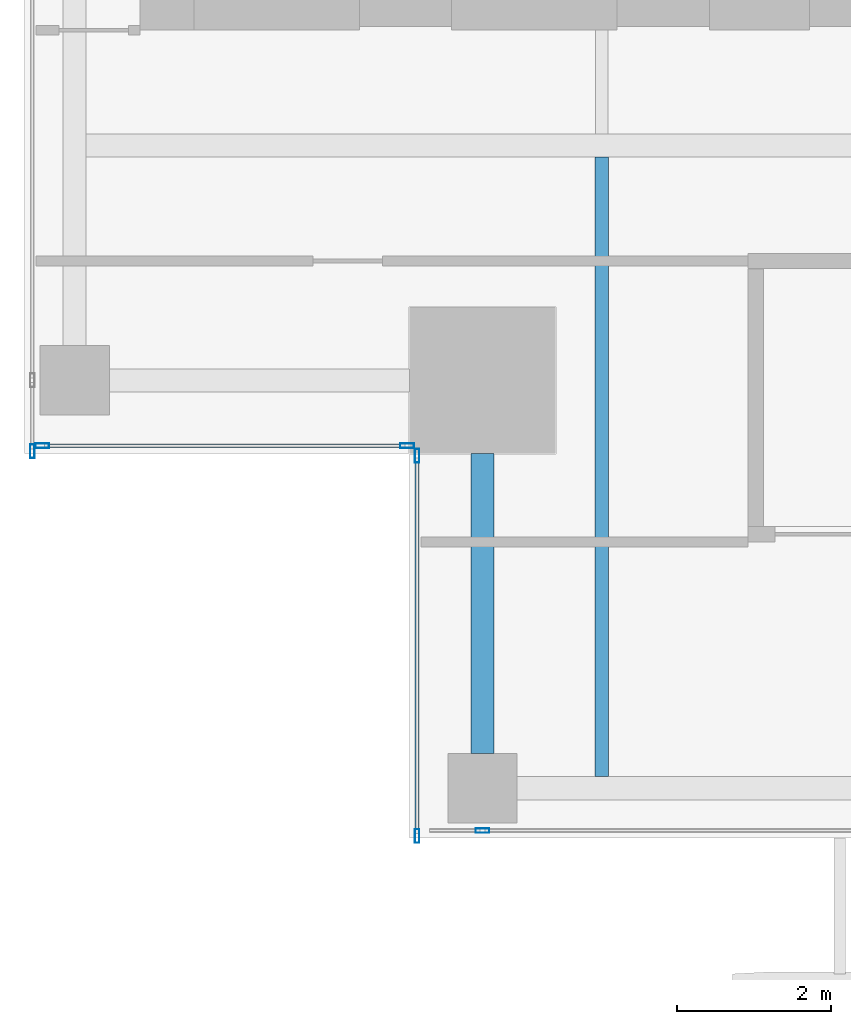
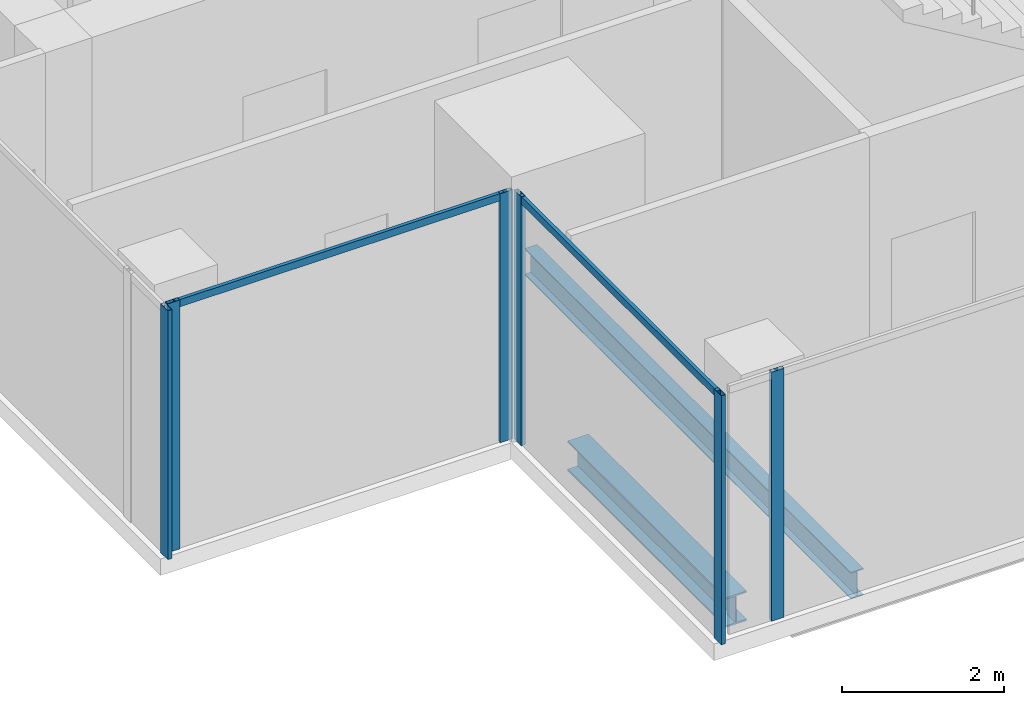
# One storey, part 2 of 36: 8 members, 2 beams, 4 elements without a shape of their own.
"""IFC4 building model written with IfcOpenShell, lengths in metres."""

from ifc_helpers import new_model, si_unit, direction, frame, origin, origin_2d, place, context, subcontext, project, spatial, hollow_rectangle, i_section, extrude, source, transform, mapped, material, material_profile, profile_set, type_object, element, aggregate, save


model = new_model("IFC4")

# Units and contexts
model_context = context("Model", 3, precision=1e-05, world=origin(), true_north=direction((0.0, 1.0)))
body_context = subcontext(model_context, "Body", "Model", "MODEL_VIEW")
ifc_project = project(units=[si_unit("LENGTHUNIT", "METRE"), si_unit("AREAUNIT", "SQUARE_METRE"), si_unit("VOLUMEUNIT", "CUBIC_METRE"), si_unit("PLANEANGLEUNIT", "RADIAN"), si_unit("MASSUNIT", "GRAM", prefix="KILO")], contexts=[model_context])

# Site, building, storey
site_placement = place(None, origin())
site = spatial("IfcSite", under=ifc_project, at=site_placement, CompositionType="ELEMENT")
building_placement = place(site_placement, origin())
building = spatial("IfcBuilding", under=site, at=building_placement, Name="Khomas Fold Tower", CompositionType="ELEMENT")
storey_placement = place(building_placement, frame((0.0, 0.0, 238.199951171875)))
storey = spatial("IfcBuildingStorey", under=building, at=storey_placement, Name="L53", CompositionType="ELEMENT", Elevation=238.199951171875)

# Beams
ifc_material_1 = material(Name="Steel S355", Category="steel")
ifc_material_profile_1 = material_profile(ifc_material_1, i_section(OverallWidth=0.300048828125, OverallDepth=0.449951171875, WebThickness=0.013916015625, FlangeThickness=0.02587890625, at=origin_2d()), Name="HE 450 B")
ifc_profile_set_1 = profile_set([ifc_material_profile_1], Name="Steel S355")
beam_type_1 = type_object("IfcBeamType", Name="HE 450 B spandrel SB4", PredefinedType="SPANDREL", material=ifc_profile_set_1)
shared_shape_1 = source(origin(), body_context, "Body", "SweptSolid", [
    extrude(i_section(OverallWidth=0.300048828125, OverallDepth=0.449951171875, WebThickness=0.013916015625, FlangeThickness=0.02587890625, at=origin_2d()), origin(), (0.0, 0.0, 1.0), 3.89990234375),
])
beam_1_placement = place(storey_placement, frame((10.449951171875, 5.60009765625, -0.474853515625), z_axis=(0.0, 1.0, 0.0), x_axis=(-1.0, 0.0, 0.0)))
element("IfcBeam", 1, at=beam_1_placement, inside=storey, type_object=beam_type_1, Name="SB4", PredefinedType="SPANDREL", context=body_context, shape_type="MappedRepresentation", body=[
    mapped(shared_shape_1, transform((0.0, 0.0, 0.0))),
])
ifc_material_2 = material(Name="Steel S355", Category="steel")
ifc_material_profile_2 = material_profile(ifc_material_2, i_section(OverallWidth=0.179931640625, OverallDepth=0.39990234375, WebThickness=0.008544921875, FlangeThickness=0.013427734375, at=origin_2d()), Name="IPE 400")
ifc_profile_set_2 = profile_set([ifc_material_profile_2], Name="Steel S355")
beam_type_2 = type_object("IfcBeamType", Name="IPE 400 beam JB3", PredefinedType="BEAM", material=ifc_profile_set_2)
shared_shape_2 = source(origin(), body_context, "Body", "SweptSolid", [
    extrude(i_section(OverallWidth=0.179931640625, OverallDepth=0.39990234375, WebThickness=0.008544921875, FlangeThickness=0.013427734375, at=origin_2d()), origin(), (0.0, 0.0, 1.0), 8.050048828125),
])
beam_2_placement = place(storey_placement, frame((12.0, 5.300048828125, -0.449951171875), z_axis=(0.0, 1.0, 0.0), x_axis=(-1.0, 0.0, 0.0)))
element("IfcBeam", 2, at=beam_2_placement, inside=storey, type_object=beam_type_2, Name="JB3", PredefinedType="BEAM", context=body_context, shape_type="MappedRepresentation", body=[
    mapped(shared_shape_2, transform((0.0, 0.0, 0.0))),
])

# Curtain wall, member
ifc_material_3 = material(Name="Aluminium framed double glazing", Category="aluminium")
curtain_wall_type = type_object("IfcCurtainWallType", Name="SK-Unitised clear-glass wall, office floors CW2", PredefinedType="NOTDEFINED", material=ifc_material_3)
curtain_wall_1_placement = place(storey_placement, origin())
curtain_wall_1 = element("IfcCurtainWall", 3, at=curtain_wall_1_placement, inside=storey, type_object=curtain_wall_type, Name="CW2 run L53 00-0", PredefinedType="NOTDEFINED")
ifc_material_4 = material(Name="Aluminium", Category="aluminium")
ifc_material_profile_3 = material_profile(ifc_material_4, hollow_rectangle(XDim=0.06005859375, YDim=0.179931640625, WallThickness=0.00390625, at=origin_2d()), Name="SK-Unitised clear-glass wall, office floors mullion CW2-M")
ifc_profile_set_3 = profile_set([ifc_material_profile_3], Name="Aluminium")
member_type_1 = type_object("IfcMemberType", Name="SK-Unitised clear-glass wall, office floors mullion CW2-M", PredefinedType="MULLION", material=ifc_profile_set_3)
shared_shape_3 = source(origin(), body_context, "Body", "SweptSolid", [
    extrude(hollow_rectangle(XDim=0.06005859375, YDim=0.179931640625, WallThickness=0.00390625, at=origin_2d()), origin(), (0.0, 0.0, 1.0), 3.75),
])
member_1_placement = place(storey_placement, frame((10.449951171875, 4.60009765625, 0.0), z_axis=(0.0, 0.0, 1.0), x_axis=(0.0, 1.0, 0.0)))
member_1 = element("IfcMember", 4, at=member_1_placement, type_object=member_type_1, Name="CW2 mullion 2", PredefinedType="MULLION", context=body_context, shape_type="MappedRepresentation", body=[
    mapped(shared_shape_3, transform((0.0, 0.0, 0.0))),
])
aggregate(curtain_wall_1, [member_1])

curtain_wall_2_placement = place(storey_placement, origin())
curtain_wall_2 = element("IfcCurtainWall", 5, at=curtain_wall_2_placement, inside=storey, type_object=curtain_wall_type, Name="CW2 run L53 09-0", PredefinedType="NOTDEFINED")
member_2_placement = place(storey_placement, frame((4.60009765625, 9.530029296875, 0.0), z_axis=(0.0, 0.0, 1.0), x_axis=(1.0, 0.0, 0.0)))
member_2 = element("IfcMember", 6, at=member_2_placement, type_object=member_type_1, Name="CW2 mullion 7", PredefinedType="MULLION", context=body_context, shape_type="MappedRepresentation", body=[
    mapped(shared_shape_3, transform((0.0, 0.0, 0.0))),
])
aggregate(curtain_wall_2, [member_2])

# Curtain wall, members
curtain_wall_3_placement = place(storey_placement, origin())
curtain_wall_3 = element("IfcCurtainWall", 7, at=curtain_wall_3_placement, inside=storey, type_object=curtain_wall_type, Name="CW2 corner return L53 10", PredefinedType="NOTDEFINED")
member_3_placement = place(storey_placement, frame((4.72998046875, 9.60009765625, 0.0), z_axis=(0.0, 0.0, 1.0), x_axis=(0.0, 1.0, 0.0)))
member_3 = element("IfcMember", 8, at=member_3_placement, type_object=member_type_1, Name="CW2 mullion 1", PredefinedType="MULLION", context=body_context, shape_type="MappedRepresentation", body=[
    mapped(shared_shape_3, transform((0.0, 0.0, 0.0))),
])
member_4_placement = place(storey_placement, frame((9.469970703125, 9.60009765625, 0.0), z_axis=(0.0, 0.0, 1.0), x_axis=(0.0, 1.0, 0.0)))
member_4 = element("IfcMember", 9, at=member_4_placement, type_object=member_type_1, Name="CW2 mullion 2", PredefinedType="MULLION", context=body_context, shape_type="MappedRepresentation", body=[
    mapped(shared_shape_3, transform((0.0, 0.0, 0.0))),
])

curtain_wall_4_placement = place(storey_placement, origin())
curtain_wall_4 = element("IfcCurtainWall", 10, at=curtain_wall_4_placement, inside=storey, type_object=curtain_wall_type, Name="CW2 corner return L53 11", PredefinedType="NOTDEFINED")
member_5_placement = place(storey_placement, frame((9.60009765625, 9.469970703125, 0.0), z_axis=(0.0, 0.0, 1.0), x_axis=(1.0, 0.0, 0.0)))
member_5 = element("IfcMember", 11, at=member_5_placement, type_object=member_type_1, Name="CW2 mullion 1", PredefinedType="MULLION", context=body_context, shape_type="MappedRepresentation", body=[
    mapped(shared_shape_3, transform((0.0, 0.0, 0.0))),
])
member_6_placement = place(storey_placement, frame((9.60009765625, 4.530029296875, 0.0), z_axis=(0.0, 0.0, 1.0), x_axis=(1.0, 0.0, 0.0)))
member_6 = element("IfcMember", 12, at=member_6_placement, type_object=member_type_1, Name="CW2 mullion 2", PredefinedType="MULLION", context=body_context, shape_type="MappedRepresentation", body=[
    mapped(shared_shape_3, transform((0.0, 0.0, 0.0))),
])

# Member
ifc_material_5 = material(Name="Aluminium", Category="aluminium")
ifc_material_profile_4 = material_profile(ifc_material_5, hollow_rectangle(XDim=0.050048828125, YDim=0.110107421875, WallThickness=0.00390625, at=origin_2d()), Name="SK-Unitised clear-glass wall, office floors transom CW2-T")
ifc_profile_set_4 = profile_set([ifc_material_profile_4], Name="Aluminium")
member_type_2 = type_object("IfcMemberType", Name="SK-Unitised clear-glass wall, office floors transom CW2-T", PredefinedType="USERDEFINED", material=ifc_profile_set_4)
shared_shape_4 = source(origin(), body_context, "Body", "SweptSolid", [
    extrude(hollow_rectangle(XDim=0.050048828125, YDim=0.110107421875, WallThickness=0.00390625, at=origin_2d()), origin(), (0.0, 0.0, 1.0), 4.679931640625),
])
member_7_placement = place(storey_placement, frame((4.760009765625, 9.60009765625, 3.695068359375), z_axis=(1.0, 0.0, 0.0), x_axis=(0.0, 1.0, 0.0)))
member_7 = element("IfcMember", 13, at=member_7_placement, type_object=member_type_2, Name="CW2 transom 1", ObjectType="TRANSOM", PredefinedType="USERDEFINED", context=body_context, shape_type="MappedRepresentation", body=[
    mapped(shared_shape_4, transform((0.0, 0.0, 0.0))),
])

aggregate(curtain_wall_3, [member_3, member_4, member_7])

shared_shape_5 = source(origin(), body_context, "Body", "SweptSolid", [
    extrude(hollow_rectangle(XDim=0.050048828125, YDim=0.110107421875, WallThickness=0.00390625, at=origin_2d()), origin(), (0.0, 0.0, 1.0), 4.8798828125),
])
member_8_placement = place(storey_placement, frame((9.60009765625, 9.43994140625, 3.695068359375), z_axis=(0.0, -1.0, 0.0), x_axis=(1.0, 0.0, 0.0)))
member_8 = element("IfcMember", 14, at=member_8_placement, type_object=member_type_2, Name="CW2 transom 1", ObjectType="TRANSOM", PredefinedType="USERDEFINED", context=body_context, shape_type="MappedRepresentation", body=[
    mapped(shared_shape_5, transform((0.0, 0.0, 0.0))),
])

aggregate(curtain_wall_4, [member_5, member_6, member_8])

save(model, "model.ifc")
